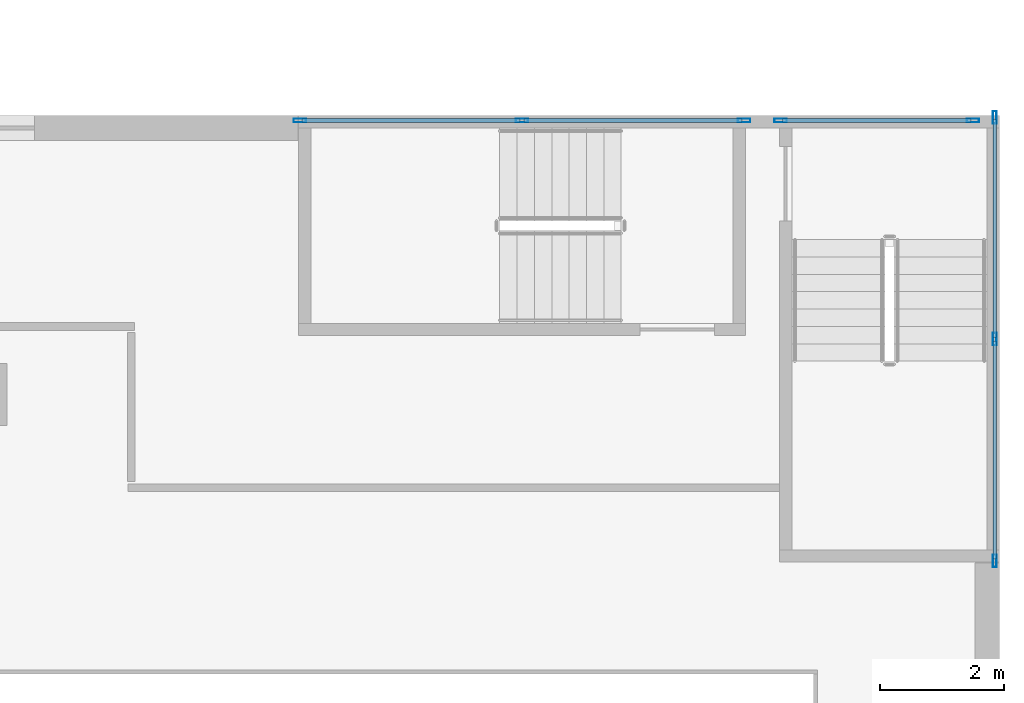
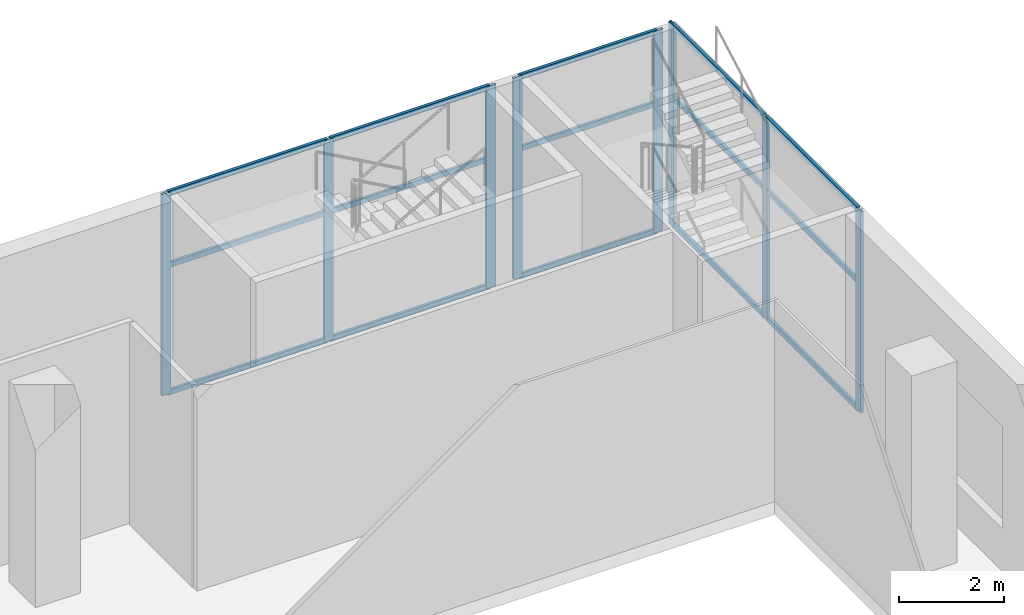
# One storey, part 7 of 22: 23 members, 3 elements without a shape of their own.
"""IFC4 building model written with IfcOpenShell, lengths in metres."""

import ifcopenshell
import ifcopenshell.guid

model = None  # the IFC model being written
_history = None  # IfcOwnerHistory: only IFC2X3 demands one
_inside = {}  # id of a spatial element -> (the spatial element, [elements in it])
_under = {}  # id of a project, library or spatial element -> (it, [spatial elements below it])
_declared = {}  # id of a project -> (the project, [libraries it declares])
_typed = {}  # id of a type object -> (the type object, [elements of that type])
_made_of = {}  # id of a material, layer set ... -> (it, [elements and type objects made of it])


def new_model(schema):
    """Start an empty IFC model of exactly this schema.

    Asked for "IFC4X3", IfcOpenShell would pick the latest addendum, in which some entities
    have other attributes; the version numbers below select the first issue.
    IFC2X3 requires an IfcOwnerHistory on every rooted entity: one is made here for all.
    """
    global model, _history
    if schema == "IFC4X3":
        model = ifcopenshell.file(schema_version=(4, 3, 0, 0))
    else:
        model = ifcopenshell.file(schema=schema)
    _inside.clear()
    _under.clear()
    _declared.clear()
    _typed.clear()
    _made_of.clear()
    _history = None
    if model.schema == "IFC2X3":
        org = make("IfcOrganization", Name="unknown")
        user = make(
            "IfcPersonAndOrganization",
            ThePerson=make("IfcPerson", FamilyName="unknown"),
            TheOrganization=org,
        )
        app = make(
            "IfcApplication",
            ApplicationDeveloper=org,
            Version="unknown",
            ApplicationFullName="unknown",
            ApplicationIdentifier="unknown",
        )
        _history = make(
            "IfcOwnerHistory",
            OwningUser=user,
            OwningApplication=app,
            ChangeAction="ADDED",
            CreationDate=0,
        )
    return model


def make(cls, **values):
    """One entity of the class cls with the attributes given. An attribute that is None is left unset."""
    return model.create_entity(
        cls, **{name: value for name, value in values.items() if value is not None}
    )


def rooted(cls, **values):
    """An entity with a GlobalId (a new one), such as an element, a storey or a relation."""
    return make(cls, GlobalId=ifcopenshell.guid.new(), OwnerHistory=_history, **values)


def si_unit(unit_type, name, prefix=None):
    """IfcSIUnit, for example si_unit("LENGTHUNIT", "METRE", prefix="MILLI")."""
    return make("IfcSIUnit", UnitType=unit_type, Prefix=prefix, Name=name)


def assignment(units):
    """IfcUnitAssignment: the units of a project."""
    return None if units is None else make("IfcUnitAssignment", Units=units)


def point(xyz):
    """IfcCartesianPoint."""
    return None if xyz is None else make("IfcCartesianPoint", Coordinates=xyz)


def direction(xyz):
    """IfcDirection."""
    return None if xyz is None else make("IfcDirection", DirectionRatios=xyz)


def frame(location, z_axis=None, x_axis=None):
    """IfcAxis2Placement3D, a coordinate frame: its origin and axes. An axis left out is left unset."""
    return make(
        "IfcAxis2Placement3D",
        Location=point(location),
        Axis=direction(z_axis),
        RefDirection=direction(x_axis),
    )


def frame_2d(location, x_axis=None):
    """IfcAxis2Placement2D, a coordinate frame in the plane: its origin and x axis."""
    return make(
        "IfcAxis2Placement2D", Location=point(location), RefDirection=direction(x_axis)
    )


def origin():
    """The frame at (0, 0, 0) with its axes left unset."""
    return frame((0.0, 0.0, 0.0))


def origin_2d():
    """The frame at (0, 0) in the plane with its x axis left unset."""
    return frame_2d((0.0, 0.0))


def place(relative_to, where):
    """IfcLocalPlacement: puts the frame where relative to a parent placement (None: the world)."""
    return make(
        "IfcLocalPlacement", PlacementRelTo=relative_to, RelativePlacement=where
    )


def context(
    kind, dimensions, precision=None, world=None, true_north=None, identifier=None
):
    """IfcGeometricRepresentationContext, for example the 3D "Model" context."""
    return make(
        "IfcGeometricRepresentationContext",
        ContextIdentifier=identifier,
        ContextType=kind,
        CoordinateSpaceDimension=dimensions,
        Precision=precision,
        WorldCoordinateSystem=world,
        TrueNorth=true_north,
    )


def subcontext(parent, identifier, kind, view, scale=None):
    """IfcGeometricRepresentationSubContext, for example "Body" below "Model"."""
    return make(
        "IfcGeometricRepresentationSubContext",
        ContextIdentifier=identifier,
        ContextType=kind,
        ParentContext=parent,
        TargetScale=scale,
        TargetView=view,
    )


def project(units=None, contexts=None):
    """IfcProject with its units and contexts."""
    return rooted(
        "IfcProject",
        Name="project",
        RepresentationContexts=contexts,
        UnitsInContext=assignment(units),
    )


def spatial(cls, under=None, at=None, **own):
    """A site, building, storey or space (cls), placed at a placement, below another one or the project."""
    s = rooted(cls, ObjectPlacement=at, **own)
    if under is not None:
        _under.setdefault(under.id(), (under, []))[1].append(s)
    return s


def profile(cls, at=None, kind="AREA", **sizes):
    """A parametric profile (cls). Its sizes go by their IFC names, for example OverallWidth=200.0."""
    return make(cls, ProfileType=kind, Position=at, **sizes)


def hollow_rectangle(**sizes):
    """IfcRectangleHollowProfileDef."""
    return profile("IfcRectangleHollowProfileDef", **sizes)


def extrude(swept, where, along, depth):
    """IfcExtrudedAreaSolid: the profile swept, set in the frame where, extruded along a direction by depth."""
    return make(
        "IfcExtrudedAreaSolid",
        SweptArea=swept,
        Position=where,
        ExtrudedDirection=direction(along),
        Depth=depth,
    )


def shape(context_of_items, identifier, shape_type, items):
    """IfcShapeRepresentation: the items that make up one representation, for example the "Body"."""
    return make(
        "IfcShapeRepresentation",
        ContextOfItems=context_of_items,
        RepresentationIdentifier=identifier,
        RepresentationType=shape_type,
        Items=items,
    )


def source(mapping_origin, context_of_items, identifier, shape_type, items):
    """IfcRepresentationMap: a shape defined once, which mapped items show again and again."""
    return make(
        "IfcRepresentationMap",
        MappingOrigin=mapping_origin,
        MappedRepresentation=shape(context_of_items, identifier, shape_type, items),
    )


def transform(
    local_origin,
    x_axis=None,
    y_axis=None,
    z_axis=None,
    scale=None,
    scale2=None,
    scale3=None,
    uniform=True,
):
    """IfcCartesianTransformationOperator3D, or its non-uniform kind. x_axis, y_axis, z_axis: its Axis1, 2, 3."""
    if uniform:
        return make(
            "IfcCartesianTransformationOperator3D",
            Axis1=direction(x_axis),
            Axis2=direction(y_axis),
            LocalOrigin=point(local_origin),
            Scale=scale,
            Axis3=direction(z_axis),
        )
    return make(
        "IfcCartesianTransformationOperator3DnonUniform",
        Axis1=direction(x_axis),
        Axis2=direction(y_axis),
        LocalOrigin=point(local_origin),
        Scale=scale,
        Axis3=direction(z_axis),
        Scale2=scale2,
        Scale3=scale3,
    )


def mapped(mapping_source, mapping_target):
    """IfcMappedItem: shows the shape of a source again, moved by a transform."""
    return make(
        "IfcMappedItem", MappingSource=mapping_source, MappingTarget=mapping_target
    )


def material(Name=None, Category=None):
    """IfcMaterial."""
    return make("IfcMaterial", Name=Name, Category=Category)


def material_profile(
    of_material, cross_section, Name=None, Category=None, Priority=None
):
    """IfcMaterialProfile: a cross section and its material."""
    return make(
        "IfcMaterialProfile",
        Name=Name,
        Material=of_material,
        Profile=cross_section,
        Priority=Priority,
        Category=Category,
    )


def profile_set(profiles, Name=None, composite=None):
    """IfcMaterialProfileSet."""
    return make(
        "IfcMaterialProfileSet",
        Name=Name,
        MaterialProfiles=profiles,
        CompositeProfile=composite,
    )


def made_of(thing, what):
    """Note that an element or type object is made of a material, layer set ...; save() writes the relation."""
    if what is not None:
        _made_of.setdefault(what.id(), (what, []))[1].append(thing)
    return thing


def type_object(cls, material=None, **own):
    """A type object (cls), such as IfcWallType, which elements share."""
    return made_of(rooted(cls, **own), material)


def element(
    cls,
    number,
    at=None,
    inside=None,
    cuts=None,
    type_object=None,
    material=None,
    context=None,
    identifier="Body",
    shape_type=None,
    held_by="IfcProductDefinitionShape",
    body=None,
    shapes=None,
    **own,
):
    """One element of the class cls, such as IfcWall. Its Tag is "e" and its number.

    at: its placement. inside: the storey or other place that contains it. cuts: it is an
    opening in that element (IfcRelVoidsElement). A single representation is given by context,
    identifier, shape_type and body (its items); several are given by shapes. held_by: the class
    of the entity that holds the representations. save() writes the other relations.
    """
    e = rooted(cls, Tag="e%d" % number, ObjectPlacement=at, **own)
    if body is not None:
        shapes = [shape(context, identifier, shape_type, body)]
    if shapes is not None:
        e.Representation = make(held_by, Representations=shapes)
    if inside is not None:
        _inside.setdefault(inside.id(), (inside, []))[1].append(e)
    if cuts is not None:
        rooted(
            "IfcRelVoidsElement", RelatingBuildingElement=cuts, RelatedOpeningElement=e
        )
    if type_object is not None:
        _typed.setdefault(type_object.id(), (type_object, []))[1].append(e)
    return made_of(e, material)


def aggregate(whole, parts):
    """IfcRelAggregates: a whole, such as a stair, and the parts it consists of."""
    return rooted("IfcRelAggregates", RelatingObject=whole, RelatedObjects=parts)


def save(model, path):
    """Write the relations noted so far, then the file.

    IfcRelAggregates (storeys below a building ...), IfcRelContainedInSpatialStructure (elements
    in a storey), IfcRelDefinesByType, IfcRelAssociatesMaterial and IfcRelDeclares: one each for
    every whole, place, type object, material and project.
    """
    for whole, parts in _under.values():
        aggregate(whole, parts)
    for where, things in _inside.values():
        rooted(
            "IfcRelContainedInSpatialStructure",
            RelatedElements=things,
            RelatingStructure=where,
        )
    for kind, things in _typed.values():
        rooted("IfcRelDefinesByType", RelatedObjects=things, RelatingType=kind)
    for what, things in _made_of.values():
        rooted("IfcRelAssociatesMaterial", RelatedObjects=things, RelatingMaterial=what)
    for by, libraries in _declared.values():
        rooted("IfcRelDeclares", RelatingContext=by, RelatedDefinitions=libraries)
    model.write(path)


model = new_model("IFC4")

# Units and contexts
model_context = context("Model", 3, precision=1e-05, world=origin(), true_north=direction((0.0, 1.0)))
body_context = subcontext(model_context, "Body", "Model", "MODEL_VIEW")
ifc_project = project(units=[si_unit("LENGTHUNIT", "METRE"), si_unit("AREAUNIT", "SQUARE_METRE"), si_unit("VOLUMEUNIT", "CUBIC_METRE"), si_unit("PLANEANGLEUNIT", "RADIAN"), si_unit("MASSUNIT", "GRAM", prefix="KILO")], contexts=[model_context])

# Site, building, storey
site_placement = place(None, origin())
site = spatial("IfcSite", under=ifc_project, at=site_placement, CompositionType="ELEMENT")
building_placement = place(site_placement, origin())
building = spatial("IfcBuilding", under=site, at=building_placement, Name="Khomas Fold Tower", CompositionType="ELEMENT")
storey_placement = place(building_placement, frame((0.0, 0.0, 23.5)))
storey = spatial("IfcBuildingStorey", under=building, at=storey_placement, Name="L04", CompositionType="ELEMENT", Elevation=23.5)

# Curtain wall, members
ifc_material_1 = material(Name="Aluminium framed double glazing", Category="aluminium")
curtain_wall_type = type_object("IfcCurtainWallType", Name="Shopfront glazing PD-CW", PredefinedType="NOTDEFINED", material=ifc_material_1)
curtain_wall_1_placement = place(storey_placement, origin())
curtain_wall_1 = element("IfcCurtainWall", 1, at=curtain_wall_1_placement, inside=storey, type_object=curtain_wall_type, Name="Podium stair-tower glazing", PredefinedType="NOTDEFINED")
ifc_material_2 = material(Name="Aluminium", Category="aluminium")
ifc_material_profile_1 = material_profile(ifc_material_2, hollow_rectangle(XDim=0.06005859375, YDim=0.1201171875, WallThickness=0.00390625, at=origin_2d()), Name="Shopfront glazing transom PD-CW-T")
ifc_profile_set_1 = profile_set([ifc_material_profile_1], Name="Aluminium")
member_type_1 = type_object("IfcMemberType", Name="Shopfront glazing transom PD-CW-T", PredefinedType="USERDEFINED", material=ifc_profile_set_1)
shared_shape_1 = source(origin(), body_context, "Body", "SweptSolid", [
    extrude(hollow_rectangle(XDim=0.06005859375, YDim=0.1201171875, WallThickness=0.00390625, at=origin_2d()), origin(), (0.0, 0.0, 1.0), 3.0400390625),
])
member_1_placement = place(storey_placement, frame((80.5400390625, 53.919921875, 0.030029296875), z_axis=(-1.0, 0.0, 0.0), x_axis=(0.0, -1.0, 0.0)))
member_1 = element("IfcMember", 2, at=member_1_placement, type_object=member_type_1, Name="PD-CW transom 1.1", ObjectType="TRANSOM", PredefinedType="USERDEFINED", context=body_context, shape_type="MappedRepresentation", body=[
    mapped(shared_shape_1, transform((0.0, 0.0, 0.0))),
])
member_2_placement = place(storey_placement, frame((80.5400390625, 53.919921875, 3.0), z_axis=(-1.0, 0.0, 0.0), x_axis=(0.0, -1.0, 0.0)))
member_2 = element("IfcMember", 3, at=member_2_placement, type_object=member_type_1, Name="PD-CW transom 1.2", ObjectType="TRANSOM", PredefinedType="USERDEFINED", context=body_context, shape_type="MappedRepresentation", body=[
    mapped(shared_shape_1, transform((0.0, 0.0, 0.0))),
])
member_3_placement = place(storey_placement, frame((80.5400390625, 53.919921875, 4.669921875), z_axis=(-1.0, 0.0, 0.0), x_axis=(0.0, -1.0, 0.0)))
member_3 = element("IfcMember", 4, at=member_3_placement, type_object=member_type_1, Name="PD-CW transom 1.3", ObjectType="TRANSOM", PredefinedType="USERDEFINED", context=body_context, shape_type="MappedRepresentation", body=[
    mapped(shared_shape_1, transform((0.0, 0.0, 0.0))),
])

curtain_wall_2_placement = place(storey_placement, origin())
curtain_wall_2 = element("IfcCurtainWall", 5, at=curtain_wall_2_placement, inside=storey, type_object=curtain_wall_type, Name="Podium stair-tower glazing", PredefinedType="NOTDEFINED")
shared_shape_2 = source(origin(), body_context, "Body", "SweptSolid", [
    extrude(hollow_rectangle(XDim=0.06005859375, YDim=0.1201171875, WallThickness=0.00390625, at=origin_2d()), origin(), (0.0, 0.0, 1.0), 3.52001953125),
])
member_4_placement = place(storey_placement, frame((76.85009765625, 53.919921875, 0.030029296875), z_axis=(-1.0, 0.0, 0.0), x_axis=(0.0, -1.0, 0.0)))
member_4 = element("IfcMember", 6, at=member_4_placement, type_object=member_type_1, Name="PD-CW transom 1.1", ObjectType="TRANSOM", PredefinedType="USERDEFINED", context=body_context, shape_type="MappedRepresentation", body=[
    mapped(shared_shape_2, transform((0.0, 0.0, 0.0))),
])
member_5_placement = place(storey_placement, frame((76.85009765625, 53.919921875, 3.0), z_axis=(-1.0, 0.0, 0.0), x_axis=(0.0, -1.0, 0.0)))
member_5 = element("IfcMember", 7, at=member_5_placement, type_object=member_type_1, Name="PD-CW transom 1.2", ObjectType="TRANSOM", PredefinedType="USERDEFINED", context=body_context, shape_type="MappedRepresentation", body=[
    mapped(shared_shape_2, transform((0.0, 0.0, 0.0))),
])
member_6_placement = place(storey_placement, frame((76.85009765625, 53.919921875, 4.669921875), z_axis=(-1.0, 0.0, 0.0), x_axis=(0.0, -1.0, 0.0)))
member_6 = element("IfcMember", 8, at=member_6_placement, type_object=member_type_1, Name="PD-CW transom 1.3", ObjectType="TRANSOM", PredefinedType="USERDEFINED", context=body_context, shape_type="MappedRepresentation", body=[
    mapped(shared_shape_2, transform((0.0, 0.0, 0.0))),
])
member_7_placement = place(storey_placement, frame((73.27001953125, 53.919921875, 0.030029296875), z_axis=(-1.0, 0.0, 0.0), x_axis=(0.0, -1.0, 0.0)))
member_7 = element("IfcMember", 9, at=member_7_placement, type_object=member_type_1, Name="PD-CW transom 2.1", ObjectType="TRANSOM", PredefinedType="USERDEFINED", context=body_context, shape_type="MappedRepresentation", body=[
    mapped(shared_shape_2, transform((0.0, 0.0, 0.0))),
])
member_8_placement = place(storey_placement, frame((73.27001953125, 53.919921875, 3.0), z_axis=(-1.0, 0.0, 0.0), x_axis=(0.0, -1.0, 0.0)))
member_8 = element("IfcMember", 10, at=member_8_placement, type_object=member_type_1, Name="PD-CW transom 2.2", ObjectType="TRANSOM", PredefinedType="USERDEFINED", context=body_context, shape_type="MappedRepresentation", body=[
    mapped(shared_shape_2, transform((0.0, 0.0, 0.0))),
])
member_9_placement = place(storey_placement, frame((73.27001953125, 53.919921875, 4.669921875), z_axis=(-1.0, 0.0, 0.0), x_axis=(0.0, -1.0, 0.0)))
member_9 = element("IfcMember", 11, at=member_9_placement, type_object=member_type_1, Name="PD-CW transom 2.3", ObjectType="TRANSOM", PredefinedType="USERDEFINED", context=body_context, shape_type="MappedRepresentation", body=[
    mapped(shared_shape_2, transform((0.0, 0.0, 0.0))),
])

curtain_wall_3_placement = place(storey_placement, origin())
curtain_wall_3 = element("IfcCurtainWall", 12, at=curtain_wall_3_placement, inside=storey, type_object=curtain_wall_type, Name="Podium stair-tower glazing", PredefinedType="NOTDEFINED")
shared_shape_3 = source(origin(), body_context, "Body", "SweptSolid", [
    extrude(hollow_rectangle(XDim=0.06005859375, YDim=0.1201171875, WallThickness=0.00390625, at=origin_2d()), origin(), (0.0, 0.0, 1.0), 3.514892578125),
])
member_10_placement = place(storey_placement, frame((80.919921875, 46.85009765625, 0.030029296875), z_axis=(0.0, 1.0, 0.0), x_axis=(-1.0, 0.0, 0.0)))
member_10 = element("IfcMember", 13, at=member_10_placement, type_object=member_type_1, Name="PD-CW transom 1.1", ObjectType="TRANSOM", PredefinedType="USERDEFINED", context=body_context, shape_type="MappedRepresentation", body=[
    mapped(shared_shape_3, transform((0.0, 0.0, 0.0))),
])
member_11_placement = place(storey_placement, frame((80.919921875, 46.85009765625, 3.0), z_axis=(0.0, 1.0, 0.0), x_axis=(-1.0, 0.0, 0.0)))
member_11 = element("IfcMember", 14, at=member_11_placement, type_object=member_type_1, Name="PD-CW transom 1.2", ObjectType="TRANSOM", PredefinedType="USERDEFINED", context=body_context, shape_type="MappedRepresentation", body=[
    mapped(shared_shape_3, transform((0.0, 0.0, 0.0))),
])
member_12_placement = place(storey_placement, frame((80.919921875, 46.85009765625, 4.669921875), z_axis=(0.0, 1.0, 0.0), x_axis=(-1.0, 0.0, 0.0)))
member_12 = element("IfcMember", 15, at=member_12_placement, type_object=member_type_1, Name="PD-CW transom 1.3", ObjectType="TRANSOM", PredefinedType="USERDEFINED", context=body_context, shape_type="MappedRepresentation", body=[
    mapped(shared_shape_3, transform((0.0, 0.0, 0.0))),
])
member_13_placement = place(storey_placement, frame((80.919921875, 50.425048828125, 0.030029296875), z_axis=(0.0, 1.0, 0.0), x_axis=(-1.0, 0.0, 0.0)))
member_13 = element("IfcMember", 16, at=member_13_placement, type_object=member_type_1, Name="PD-CW transom 2.1", ObjectType="TRANSOM", PredefinedType="USERDEFINED", context=body_context, shape_type="MappedRepresentation", body=[
    mapped(shared_shape_3, transform((0.0, 0.0, 0.0))),
])
member_14_placement = place(storey_placement, frame((80.919921875, 50.425048828125, 3.0), z_axis=(0.0, 1.0, 0.0), x_axis=(-1.0, 0.0, 0.0)))
member_14 = element("IfcMember", 17, at=member_14_placement, type_object=member_type_1, Name="PD-CW transom 2.2", ObjectType="TRANSOM", PredefinedType="USERDEFINED", context=body_context, shape_type="MappedRepresentation", body=[
    mapped(shared_shape_3, transform((0.0, 0.0, 0.0))),
])
member_15_placement = place(storey_placement, frame((80.919921875, 50.425048828125, 4.669921875), z_axis=(0.0, 1.0, 0.0), x_axis=(-1.0, 0.0, 0.0)))
member_15 = element("IfcMember", 18, at=member_15_placement, type_object=member_type_1, Name="PD-CW transom 2.3", ObjectType="TRANSOM", PredefinedType="USERDEFINED", context=body_context, shape_type="MappedRepresentation", body=[
    mapped(shared_shape_3, transform((0.0, 0.0, 0.0))),
])
ifc_material_3 = material(Name="Aluminium", Category="aluminium")
ifc_material_profile_2 = material_profile(ifc_material_3, hollow_rectangle(XDim=0.06005859375, YDim=0.199951171875, WallThickness=0.00390625, at=origin_2d()), Name="Shopfront glazing mullion PD-CW-M")
ifc_profile_set_2 = profile_set([ifc_material_profile_2], Name="Aluminium")
member_type_2 = type_object("IfcMemberType", Name="Shopfront glazing mullion PD-CW-M", PredefinedType="MULLION", material=ifc_profile_set_2)
shared_shape_4 = source(origin(), body_context, "Body", "SweptSolid", [
    extrude(hollow_rectangle(XDim=0.06005859375, YDim=0.199951171875, WallThickness=0.00390625, at=origin_2d()), origin(), (0.0, 0.0, 1.0), 4.699951171875),
])
member_16_placement = place(storey_placement, frame((80.919921875, 46.820068359375, 0.0), z_axis=(0.0, 0.0, 1.0), x_axis=(-1.0, 0.0, 0.0)))
member_16 = element("IfcMember", 19, at=member_16_placement, type_object=member_type_2, Name="PD-CW mullion 1", PredefinedType="MULLION", context=body_context, shape_type="MappedRepresentation", body=[
    mapped(shared_shape_4, transform((0.0, 0.0, 0.0))),
])
member_17_placement = place(storey_placement, frame((80.919921875, 50.39501953125, 0.0), z_axis=(0.0, 0.0, 1.0), x_axis=(-1.0, 0.0, 0.0)))
member_17 = element("IfcMember", 20, at=member_17_placement, type_object=member_type_2, Name="PD-CW mullion 2", PredefinedType="MULLION", context=body_context, shape_type="MappedRepresentation", body=[
    mapped(shared_shape_4, transform((0.0, 0.0, 0.0))),
])
member_18_placement = place(storey_placement, frame((80.919921875, 53.969970703125, 0.0), z_axis=(0.0, 0.0, 1.0), x_axis=(-1.0, 0.0, 0.0)))
member_18 = element("IfcMember", 21, at=member_18_placement, type_object=member_type_2, Name="PD-CW mullion 3", PredefinedType="MULLION", context=body_context, shape_type="MappedRepresentation", body=[
    mapped(shared_shape_4, transform((0.0, 0.0, 0.0))),
])
aggregate(curtain_wall_3, [member_16, member_17, member_18, member_10, member_11, member_12, member_13, member_14, member_15])

# Member
member_19_placement = place(storey_placement, frame((80.570068359375, 53.919921875, 0.0), z_axis=(0.0, 0.0, 1.0), x_axis=(0.0, -1.0, 0.0)))
member_19 = element("IfcMember", 22, at=member_19_placement, type_object=member_type_2, Name="PD-CW mullion 1", PredefinedType="MULLION", context=body_context, shape_type="MappedRepresentation", body=[
    mapped(shared_shape_4, transform((0.0, 0.0, 0.0))),
])

member_20_placement = place(storey_placement, frame((77.469970703125, 53.919921875, 0.0), z_axis=(0.0, 0.0, 1.0), x_axis=(0.0, -1.0, 0.0)))
member_20 = element("IfcMember", 23, at=member_20_placement, type_object=member_type_2, Name="PD-CW mullion 2", PredefinedType="MULLION", context=body_context, shape_type="MappedRepresentation", body=[
    mapped(shared_shape_4, transform((0.0, 0.0, 0.0))),
])

aggregate(curtain_wall_1, [member_19, member_20, member_1, member_2, member_3])

member_21_placement = place(storey_placement, frame((76.8798828125, 53.919921875, 0.0), z_axis=(0.0, 0.0, 1.0), x_axis=(0.0, -1.0, 0.0)))
member_21 = element("IfcMember", 24, at=member_21_placement, type_object=member_type_2, Name="PD-CW mullion 1", PredefinedType="MULLION", context=body_context, shape_type="MappedRepresentation", body=[
    mapped(shared_shape_4, transform((0.0, 0.0, 0.0))),
])

member_22_placement = place(storey_placement, frame((73.300048828125, 53.919921875, 0.0), z_axis=(0.0, 0.0, 1.0), x_axis=(0.0, -1.0, 0.0)))
member_22 = element("IfcMember", 25, at=member_22_placement, type_object=member_type_2, Name="PD-CW mullion 2", PredefinedType="MULLION", context=body_context, shape_type="MappedRepresentation", body=[
    mapped(shared_shape_4, transform((0.0, 0.0, 0.0))),
])

member_23_placement = place(storey_placement, frame((69.719970703125, 53.919921875, 0.0), z_axis=(0.0, 0.0, 1.0), x_axis=(0.0, -1.0, 0.0)))
member_23 = element("IfcMember", 26, at=member_23_placement, type_object=member_type_2, Name="PD-CW mullion 3", PredefinedType="MULLION", context=body_context, shape_type="MappedRepresentation", body=[
    mapped(shared_shape_4, transform((0.0, 0.0, 0.0))),
])

aggregate(curtain_wall_2, [member_21, member_22, member_23, member_4, member_5, member_6, member_7, member_8, member_9])

save(model, "model.ifc")
